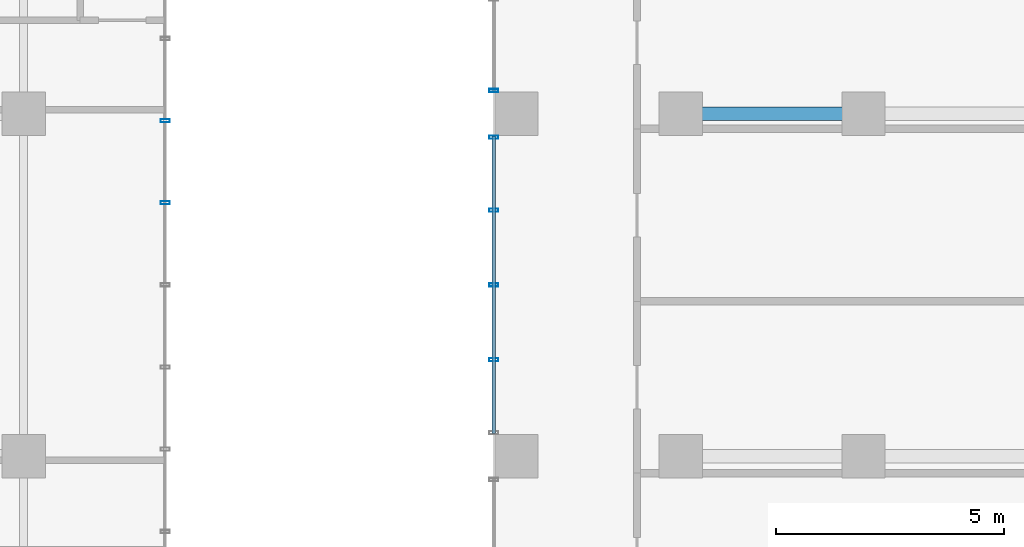
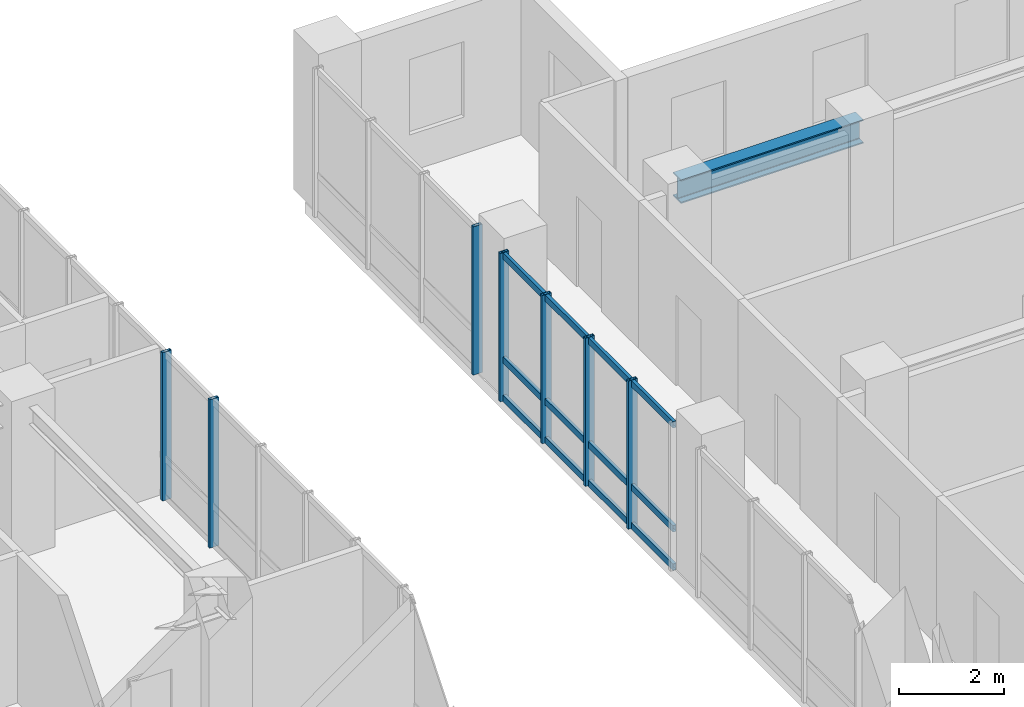
# One storey, part 12 of 24: 10 members, 1 beam, 3 elements without a shape of their own.
"""IFC4 building model written with IfcOpenShell, lengths in metres."""

from ifc_helpers import new_model, si_unit, direction, frame, origin, origin_2d, place, context, subcontext, project, spatial, hollow_rectangle, i_section, extrude, source, transform, mapped, material, layer, layer_set, material_profile, profile_set, type_object, element, aggregate, save


model = new_model("IFC4")

# Units and contexts
model_context = context("Model", 3, precision=1e-05, world=origin(), true_north=direction((0.0, 1.0)))
body_context = subcontext(model_context, "Body", "Model", "MODEL_VIEW")
ifc_project = project(units=[si_unit("LENGTHUNIT", "METRE"), si_unit("AREAUNIT", "SQUARE_METRE"), si_unit("VOLUMEUNIT", "CUBIC_METRE"), si_unit("PLANEANGLEUNIT", "RADIAN"), si_unit("MASSUNIT", "GRAM", prefix="KILO")], contexts=[model_context])

# Site, building, storey
site_placement = place(None, origin())
site = spatial("IfcSite", under=ifc_project, at=site_placement, CompositionType="ELEMENT")
building_placement = place(site_placement, origin())
building = spatial("IfcBuilding", under=site, at=building_placement, Name="Kaliganga Portal Commons", CompositionType="ELEMENT")
storey_placement = place(building_placement, frame((0.0, 0.0, 242.5)))
storey = spatial("IfcBuildingStorey", under=building, at=storey_placement, Name="L62", CompositionType="ELEMENT", Elevation=242.5)

# Beam
ifc_material_1 = material(Name="Structural steel S355J2", Category="steel")
ifc_material_profile_1 = material_profile(ifc_material_1, i_section(OverallWidth=0.300048828125, OverallDepth=0.550048828125, WebThickness=0.014892578125, FlangeThickness=0.029052734375, FilletRadius=0.027099609375, at=origin_2d()), Name="HE 550 B")
ifc_profile_set_1 = profile_set([ifc_material_profile_1], Name="Structural steel S355J2 wide-flange")
beam_type = type_object("IfcBeamType", Name="BM-GIRD-550", PredefinedType="USERDEFINED", material=ifc_profile_set_1)
shared_shape_1 = source(origin(), body_context, "Body", "SweptSolid", [
    extrude(i_section(OverallWidth=0.300048828125, OverallDepth=0.550048828125, WebThickness=0.014892578125, FlangeThickness=0.029052734375, FilletRadius=0.027099609375, at=origin_2d()), origin(), (0.0, 0.0, 1.0), 4.0),
])
beam_placement = place(storey_placement, frame((50.39990234375, 36.14990234375, 3.1650390625), z_axis=(1.0, 0.0, 0.0), x_axis=(0.0, 1.0, 0.0)))
element("IfcBeam", 1, at=beam_placement, inside=storey, type_object=beam_type, Name="BM G L62 BKE362 1", ObjectType="GIRDER", PredefinedType="USERDEFINED", context=body_context, shape_type="MappedRepresentation", body=[
    mapped(shared_shape_1, transform((0.0, 0.0, 0.0), x_axis=(1.0, 0.0, 0.0), y_axis=(0.0, 1.0, 0.0), z_axis=(0.0, 0.0, 1.0), scale=1.0)),
])

# Curtain wall, members
ifc_material_2 = material(Name="Anodized Aluminium and Laminated Low-E Glass", Category="aluminium")
ifc_layer = layer(ifc_material_2, 0.239990234375)
ifc_layer_set = layer_set([ifc_layer], Name="Anodized Aluminium and Laminated Low-E Glass")
curtain_wall_type = type_object("IfcCurtainWallType", Name="CW-SYS-04", PredefinedType="NOTDEFINED", material=ifc_layer_set)
curtain_wall_1_placement = place(storey_placement, origin())
curtain_wall_1 = element("IfcCurtainWall", 2, at=curtain_wall_1_placement, inside=storey, type_object=curtain_wall_type, Name="CW 04 L62 P1E01S1", PredefinedType="NOTDEFINED")
ifc_material_3 = material(Name="Dark Bronze Anodized Aluminium", Category="aluminium")
ifc_material_profile_2 = material_profile(ifc_material_3, hollow_rectangle(XDim=0.070068359375, YDim=0.199951171875, WallThickness=0.00390625, at=origin_2d()), Name="ALU MULL 70x200x4")
ifc_profile_set_2 = profile_set([ifc_material_profile_2], Name="Dark Bronze Anodized Aluminium")
member_type_1 = type_object("IfcMemberType", Name="CW-MUL-220", PredefinedType="MULLION", material=ifc_profile_set_2)
shared_shape_2 = source(origin(), body_context, "Body", "SweptSolid", [
    extrude(hollow_rectangle(XDim=0.070068359375, YDim=0.199951171875, WallThickness=0.00390625, at=origin_2d()), origin(), (0.0, 0.0, 1.0), 3.43994140625),
])
member_1_placement = place(storey_placement, frame((39.10009765625, 34.199951171875, 0.0), z_axis=(0.0, 0.0, 1.0), x_axis=(0.0, 1.0, 0.0)))
member_1 = element("IfcMember", 3, at=member_1_placement, type_object=member_type_1, Name="CW:04:L62:P1E01S1 Mullion 07", PredefinedType="MULLION", context=body_context, shape_type="MappedRepresentation", body=[
    mapped(shared_shape_2, transform((0.0, 0.0, 0.0), x_axis=(1.0, 0.0, 0.0), y_axis=(0.0, 1.0, 0.0), z_axis=(0.0, 0.0, 1.0), scale=1.0)),
])
member_2_placement = place(storey_placement, frame((39.10009765625, 36.0, 0.0), z_axis=(0.0, 0.0, 1.0), x_axis=(0.0, 1.0, 0.0)))
member_2 = element("IfcMember", 4, at=member_2_placement, type_object=member_type_1, Name="CW:04:L62:P1E01S1 Mullion 08", PredefinedType="MULLION", context=body_context, shape_type="MappedRepresentation", body=[
    mapped(shared_shape_2, transform((0.0, 0.0, 0.0), x_axis=(1.0, 0.0, 0.0), y_axis=(0.0, 1.0, 0.0), z_axis=(0.0, 0.0, 1.0), scale=1.0)),
])
aggregate(curtain_wall_1, [member_1, member_2])

# Curtain wall, member
curtain_wall_2_placement = place(storey_placement, origin())
curtain_wall_2 = element("IfcCurtainWall", 5, at=curtain_wall_2_placement, inside=storey, type_object=curtain_wall_type, Name="CW 04 L62 P2E07S1", PredefinedType="NOTDEFINED")
member_3_placement = place(storey_placement, frame((46.300048828125, 36.660888671875, 0.0), z_axis=(0.0, 0.0, 1.0), x_axis=(0.0, -1.0, 0.0)))
member_3 = element("IfcMember", 6, at=member_3_placement, type_object=member_type_1, Name="CW:04:L62:P2E07S1 Mullion 03", PredefinedType="MULLION", context=body_context, shape_type="MappedRepresentation", body=[
    mapped(shared_shape_2, transform((0.0, 0.0, 0.0), x_axis=(1.0, 0.0, 0.0), y_axis=(0.0, 1.0, 0.0), z_axis=(0.0, 0.0, 1.0), scale=1.0)),
])
aggregate(curtain_wall_2, [member_3])

# Curtain wall, members
curtain_wall_3_placement = place(storey_placement, origin())
curtain_wall_3 = element("IfcCurtainWall", 7, at=curtain_wall_3_placement, inside=storey, type_object=curtain_wall_type, Name="CW 04 L62 P2E07S2", PredefinedType="NOTDEFINED")
member_4_placement = place(storey_placement, frame((46.300048828125, 35.638916015625, 0.0), z_axis=(0.0, 0.0, 1.0), x_axis=(0.0, -1.0, 0.0)))
member_4 = element("IfcMember", 8, at=member_4_placement, type_object=member_type_1, Name="CW:04:L62:P2E07S2 Mullion 00", PredefinedType="MULLION", context=body_context, shape_type="MappedRepresentation", body=[
    mapped(shared_shape_2, transform((0.0, 0.0, 0.0), x_axis=(1.0, 0.0, 0.0), y_axis=(0.0, 1.0, 0.0), z_axis=(0.0, 0.0, 1.0), scale=1.0)),
])
member_5_placement = place(storey_placement, frame((46.300048828125, 34.037109375, 0.0), z_axis=(0.0, 0.0, 1.0), x_axis=(0.0, -1.0, 0.0)))
member_5 = element("IfcMember", 9, at=member_5_placement, type_object=member_type_1, Name="CW:04:L62:P2E07S2 Mullion 01", PredefinedType="MULLION", context=body_context, shape_type="MappedRepresentation", body=[
    mapped(shared_shape_2, transform((0.0, 0.0, 0.0), x_axis=(1.0, 0.0, 0.0), y_axis=(0.0, 1.0, 0.0), z_axis=(0.0, 0.0, 1.0), scale=1.0)),
])
member_6_placement = place(storey_placement, frame((46.300048828125, 32.39990234375, 0.0), z_axis=(0.0, 0.0, 1.0), x_axis=(0.0, -1.0, 0.0)))
member_6 = element("IfcMember", 10, at=member_6_placement, type_object=member_type_1, Name="CW:04:L62:P2E07S2 Mullion 02", PredefinedType="MULLION", context=body_context, shape_type="MappedRepresentation", body=[
    mapped(shared_shape_2, transform((0.0, 0.0, 0.0), x_axis=(1.0, 0.0, 0.0), y_axis=(0.0, 1.0, 0.0), z_axis=(0.0, 0.0, 1.0), scale=1.0)),
])
member_7_placement = place(storey_placement, frame((46.300048828125, 30.762939453125, 0.0), z_axis=(0.0, 0.0, 1.0), x_axis=(0.0, -1.0, 0.0)))
member_7 = element("IfcMember", 11, at=member_7_placement, type_object=member_type_1, Name="CW:04:L62:P2E07S2 Mullion 03", PredefinedType="MULLION", context=body_context, shape_type="MappedRepresentation", body=[
    mapped(shared_shape_2, transform((0.0, 0.0, 0.0), x_axis=(1.0, 0.0, 0.0), y_axis=(0.0, 1.0, 0.0), z_axis=(0.0, 0.0, 1.0), scale=1.0)),
])
ifc_material_profile_3 = material_profile(ifc_material_3, hollow_rectangle(XDim=0.070068359375, YDim=0.14990234375, WallThickness=0.00341796875, at=origin_2d()), Name="ALU TRAN 70x150x3.5")
ifc_profile_set_3 = profile_set([ifc_material_profile_3], Name="Dark Bronze Anodized Aluminium")
member_type_2 = type_object("IfcMemberType", Name="CW-TRN-150", PredefinedType="USERDEFINED", material=ifc_profile_set_3)
shared_shape_3 = source(origin(), body_context, "Body", "SweptSolid", [
    extrude(hollow_rectangle(XDim=0.070068359375, YDim=0.14990234375, WallThickness=0.00341796875, at=origin_2d()), origin(), (0.0, 0.0, 1.0), 6.508056640625),
])
member_8_placement = place(storey_placement, frame((46.300048828125, 35.654052734375, 0.06005859375), z_axis=(0.0, -1.0, 0.0), x_axis=(1.0, 0.0, 0.0)))
member_8 = element("IfcMember", 12, at=member_8_placement, type_object=member_type_2, Name="CW:04:L62:P2E07S2 Transom 1", ObjectType="TRANSOM", PredefinedType="USERDEFINED", context=body_context, shape_type="MappedRepresentation", body=[
    mapped(shared_shape_3, transform((0.0, 0.0, 0.0), x_axis=(1.0, 0.0, 0.0), y_axis=(0.0, 1.0, 0.0), z_axis=(0.0, 0.0, 1.0), scale=1.0)),
])
member_9_placement = place(storey_placement, frame((46.300048828125, 35.654052734375, 0.949951171875), z_axis=(0.0, -1.0, 0.0), x_axis=(1.0, 0.0, 0.0)))
member_9 = element("IfcMember", 13, at=member_9_placement, type_object=member_type_2, Name="CW:04:L62:P2E07S2 Transom 2", ObjectType="TRANSOM", PredefinedType="USERDEFINED", context=body_context, shape_type="MappedRepresentation", body=[
    mapped(shared_shape_3, transform((0.0, 0.0, 0.0), x_axis=(1.0, 0.0, 0.0), y_axis=(0.0, 1.0, 0.0), z_axis=(0.0, 0.0, 1.0), scale=1.0)),
])
member_10_placement = place(storey_placement, frame((46.300048828125, 35.654052734375, 3.360107421875), z_axis=(0.0, -1.0, 0.0), x_axis=(1.0, 0.0, 0.0)))
member_10 = element("IfcMember", 14, at=member_10_placement, type_object=member_type_2, Name="CW:04:L62:P2E07S2 Transom 3", ObjectType="TRANSOM", PredefinedType="USERDEFINED", context=body_context, shape_type="MappedRepresentation", body=[
    mapped(shared_shape_3, transform((0.0, 0.0, 0.0), x_axis=(1.0, 0.0, 0.0), y_axis=(0.0, 1.0, 0.0), z_axis=(0.0, 0.0, 1.0), scale=1.0)),
])
aggregate(curtain_wall_3, [member_4, member_5, member_6, member_7, member_8, member_9, member_10])

save(model, "model.ifc")
